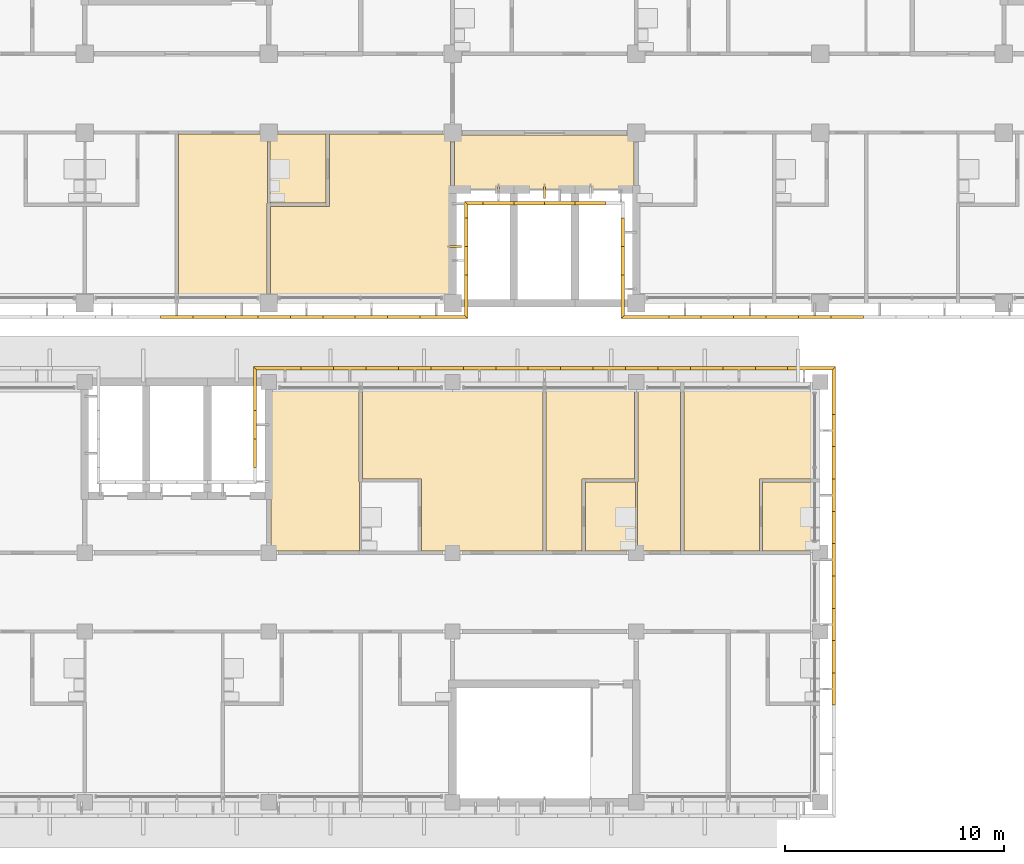
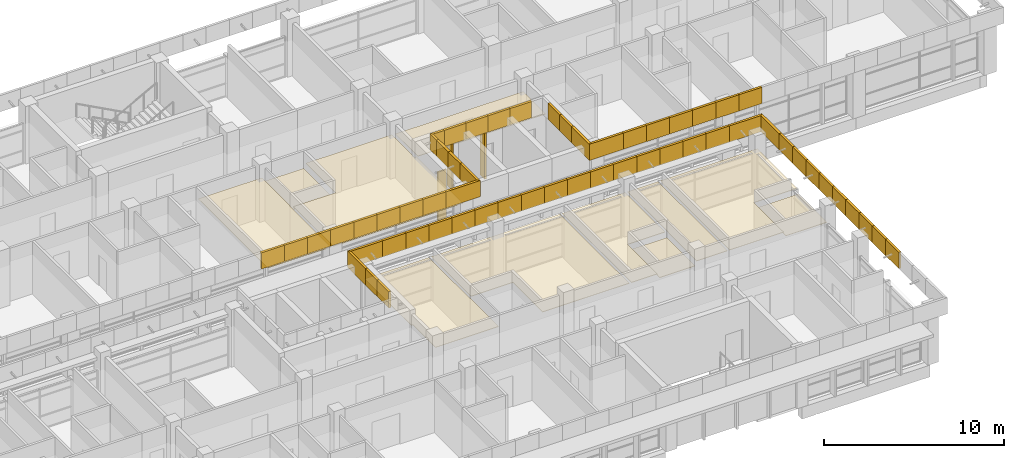
# One storey, part 68 of 71: 69 coverings, 3 shading devices.
"""IFC4 building model written with IfcOpenShell, lengths in metres."""

from ifc_helpers import new_model, si_unit, direction, frame, origin, origin_2d, place, context, subcontext, project, spatial, polyline, rectangle, outline, extrude, material, layer, layer_set, material_profile, profile_set, type_object, element, save


model = new_model("IFC4")

# Units and contexts
model_context = context("Model", 3, precision=1e-05, world=origin(), true_north=direction((0.0, 1.0)))
body_context = subcontext(model_context, "Body", "Model", "MODEL_VIEW")
ifc_project = project(units=[si_unit("LENGTHUNIT", "METRE"), si_unit("AREAUNIT", "SQUARE_METRE"), si_unit("VOLUMEUNIT", "CUBIC_METRE"), si_unit("PLANEANGLEUNIT", "RADIAN"), si_unit("MASSUNIT", "GRAM", prefix="KILO")], contexts=[model_context])

# Site, building, storey
site_placement = place(None, origin())
site = spatial("IfcSite", under=ifc_project, at=site_placement, CompositionType="ELEMENT")
building_placement = place(site_placement, origin())
building = spatial("IfcBuilding", under=site, at=building_placement, Name="Bougainvillea Quay General Hospital", CompositionType="ELEMENT")
storey_placement = place(building_placement, frame((0.0, 0.0, 24.89990234375)))
storey = spatial("IfcBuildingStorey", under=building, at=storey_placement, Name="L05", CompositionType="ELEMENT", Elevation=24.89990234375)

# Coverings
ifc_material_1 = material(Name="Powder-coated aluminium fascia, white", Category="aluminium")
ifc_layer_1 = layer(ifc_material_1, 0.14990234375)
ifc_layer_set_1 = layer_set([ifc_layer_1], Name="Powder-coated aluminium fascia, white")
covering_type_1 = type_object("IfcCoveringType", Name="Aluminium fascia band white 150x1100", PredefinedType="CLADDING", material=ifc_layer_set_1)
covering_1_placement = place(storey_placement, frame((137.85888671875, 139.85009765625, 3.35009765625), z_axis=(0.0, 0.0, 1.0), x_axis=(1.0, 0.0, 0.0)))
element("IfcCovering", 1, at=covering_1_placement, inside=storey, type_object=covering_type_1, Name="Fascia band white e0 183", PredefinedType="CLADDING", context=body_context, shape_type="SweptSolid", body=[
    extrude(outline(polyline([(0.0, 0.0), (1.482177734375, 0.0), (1.482177734375, -0.150146484375), (0.0, -0.150146484375), (0.0, 0.0)])), origin(), (0.0, 0.0, 1.0), 1.10009765625),
])
for number, where, z_axis, x_axis, name in (
    (2, (139.341064453125, 139.85009765625, 3.35009765625), (0.0, 0.0, 1.0), (1.0, 0.0, 0.0), "Fascia band white e0 184"),
    (3, (140.823486328125, 139.85009765625, 3.35009765625), (0.0, 0.0, 1.0), (1.0, 0.0, 0.0), "Fascia band white e0 185"),
    (4, (142.305908203125, 139.85009765625, 3.35009765625), (0.0, 0.0, 1.0), (1.0, 0.0, 0.0), "Fascia band white e0 186"),
):
    element("IfcCovering", number, at=place(storey_placement, frame(where, z_axis=z_axis, x_axis=x_axis)), inside=storey, type_object=covering_type_1, Name=name, PredefinedType="CLADDING", context=body_context, shape_type="SweptSolid", body=[
        extrude(outline(polyline([(0.0, 0.0), (1.482421875, 0.0), (1.482421875, -0.150146484375), (0.0, -0.150146484375), (0.0, 0.0)])), origin(), (0.0, 0.0, 1.0), 1.10009765625),
    ])
covering_2_placement = place(storey_placement, frame((143.788330078125, 139.85009765625, 3.35009765625), z_axis=(0.0, 0.0, 1.0), x_axis=(1.0, 0.0, 0.0)))
element("IfcCovering", 5, at=covering_2_placement, inside=storey, type_object=covering_type_1, Name="Fascia band white e0 187", PredefinedType="CLADDING", context=body_context, shape_type="SweptSolid", body=[
    extrude(outline(polyline([(0.0, 0.0), (1.482177734375, 0.0), (1.482177734375, -0.150146484375), (0.0, -0.150146484375), (0.0, 0.0)])), origin(), (0.0, 0.0, 1.0), 1.10009765625),
])
for number, where, z_axis, x_axis, name in (
    (6, (145.2705078125, 139.85009765625, 3.35009765625), (0.0, 0.0, 1.0), (1.0, 0.0, 0.0), "Fascia band white e0 188"),
    (7, (146.7529296875, 139.85009765625, 3.35009765625), (0.0, 0.0, 1.0), (1.0, 0.0, 0.0), "Fascia band white e0 189"),
):
    element("IfcCovering", number, at=place(storey_placement, frame(where, z_axis=z_axis, x_axis=x_axis)), inside=storey, type_object=covering_type_1, Name=name, PredefinedType="CLADDING", context=body_context, shape_type="SweptSolid", body=[
        extrude(outline(polyline([(0.0, 0.0), (1.482421875, 0.0), (1.482421875, -0.150146484375), (0.0, -0.150146484375), (0.0, 0.0)])), origin(), (0.0, 0.0, 1.0), 1.10009765625),
    ])
covering_3_placement = place(storey_placement, frame((148.2353515625, 139.85009765625, 3.35009765625), z_axis=(0.0, 0.0, 1.0), x_axis=(1.0, 0.0, 0.0)))
element("IfcCovering", 8, at=covering_3_placement, inside=storey, type_object=covering_type_1, Name="Fascia band white e0 190", PredefinedType="CLADDING", context=body_context, shape_type="SweptSolid", body=[
    extrude(outline(polyline([(0.0, 0.0), (1.482177734375, 0.0), (1.482177734375, -0.150146484375), (0.0, -0.150146484375), (0.0, 0.0)])), origin(), (0.0, 0.0, 1.0), 1.10009765625),
])
covering_4_placement = place(storey_placement, frame((149.717529296875, 139.85009765625, 3.35009765625), z_axis=(0.0, 0.0, 1.0), x_axis=(1.0, 0.0, 0.0)))
element("IfcCovering", 9, at=covering_4_placement, inside=storey, type_object=covering_type_1, Name="Fascia band white e0 191", PredefinedType="CLADDING", context=body_context, shape_type="SweptSolid", body=[
    extrude(outline(polyline([(0.0, 0.0), (2.032470703125, 0.0), (2.182373046875, -0.150146484375), (0.0, -0.150146484375), (0.0, 0.0)])), origin(), (0.0, 0.0, 1.0), 1.10009765625),
])
covering_5_placement = place(storey_placement, frame((151.75, 139.85009765625, 3.35009765625), z_axis=(0.0, 0.0, 1.0), x_axis=(0.0, 1.0, 0.0)))
element("IfcCovering", 10, at=covering_5_placement, inside=storey, type_object=covering_type_1, Name="Fascia band white e0 192", PredefinedType="CLADDING", context=body_context, shape_type="SweptSolid", body=[
    extrude(outline(polyline([(0.0, 0.0), (1.849853515625, 0.0), (1.849853515625, -0.14990234375), (-0.150146484375, -0.14990234375), (0.0, 0.0)])), origin(), (0.0, 0.0, 1.0), 1.10009765625),
])
for number, where, z_axis, x_axis, name in (
    (11, (151.75, 141.699951171875, 3.35009765625), (0.0, 0.0, 1.0), (0.0, 1.0, 0.0), "Fascia band white e0 193"),
    (12, (151.75, 143.0, 3.35009765625), (0.0, 0.0, 1.0), (0.0, 1.0, 0.0), "Fascia band white e0 194"),
):
    element("IfcCovering", number, at=place(storey_placement, frame(where, z_axis=z_axis, x_axis=x_axis)), inside=storey, type_object=covering_type_1, Name=name, PredefinedType="CLADDING", context=body_context, shape_type="SweptSolid", body=[
        extrude(outline(polyline([(0.0, 0.0), (1.300048828125, 0.0), (1.300048828125, -0.14990234375), (0.0, -0.14990234375), (0.0, 0.0)])), origin(), (0.0, 0.0, 1.0), 1.10009765625),
    ])
covering_6_placement = place(storey_placement, frame((151.75, 144.300048828125, 3.35009765625), z_axis=(0.0, 0.0, 1.0), x_axis=(0.0, 1.0, 0.0)))
element("IfcCovering", 13, at=covering_6_placement, inside=storey, type_object=covering_type_1, Name="Fascia band white e0 195", PredefinedType="CLADDING", context=body_context, shape_type="SweptSolid", body=[
    extrude(outline(polyline([(0.0, 0.0), (0.75, 0.0), (0.599853515625, -0.14990234375), (0.0, -0.14990234375), (0.0, 0.0)])), origin(), (0.0, 0.0, 1.0), 1.10009765625),
])
covering_7_placement = place(storey_placement, frame((151.75, 145.050048828125, 3.35009765625), z_axis=(0.0, 0.0, 1.0), x_axis=(1.0, 0.0, 0.0)))
element("IfcCovering", 14, at=covering_7_placement, inside=storey, type_object=covering_type_1, Name="Fascia band white e0 196", PredefinedType="CLADDING", context=body_context, shape_type="SweptSolid", body=[
    extrude(outline(polyline([(0.0, 0.0), (0.85009765625, 0.0), (0.85009765625, -0.150146484375), (0.14990234375, -0.150146484375), (0.0, 0.0)])), origin(), (0.0, 0.0, 1.0), 1.10009765625),
])
for number, where, z_axis, x_axis, name in (
    (15, (152.60009765625, 145.050048828125, 3.35009765625), (0.0, 0.0, 1.0), (1.0, 0.0, 0.0), "Fascia band white e0 197"),
    (16, (154.0, 145.050048828125, 3.35009765625), (0.0, 0.0, 1.0), (1.0, 0.0, 0.0), "Fascia band white e0 198"),
):
    element("IfcCovering", number, at=place(storey_placement, frame(where, z_axis=z_axis, x_axis=x_axis)), inside=storey, type_object=covering_type_1, Name=name, PredefinedType="CLADDING", context=body_context, shape_type="SweptSolid", body=[
        extrude(outline(polyline([(0.0, 0.0), (1.39990234375, 0.0), (1.39990234375, -0.150146484375), (0.0, -0.150146484375), (0.0, 0.0)])), origin(), (0.0, 0.0, 1.0), 1.10009765625),
    ])
covering_8_placement = place(storey_placement, frame((155.39990234375, 145.050048828125, 3.35009765625), z_axis=(0.0, 0.0, 1.0), x_axis=(1.0, 0.0, 0.0)))
element("IfcCovering", 17, at=covering_8_placement, inside=storey, type_object=covering_type_1, Name="Fascia band white e0 199", PredefinedType="CLADDING", context=body_context, shape_type="SweptSolid", body=[
    extrude(outline(polyline([(0.0, 0.0), (1.400146484375, 0.0), (1.400146484375, -0.150146484375), (0.0, -0.150146484375), (0.0, 0.0)])), origin(), (0.0, 0.0, 1.0), 1.10009765625),
])
covering_9_placement = place(storey_placement, frame((156.800048828125, 145.050048828125, 3.35009765625), z_axis=(0.0, 0.0, 1.0), x_axis=(1.0, 0.0, 0.0)))
element("IfcCovering", 18, at=covering_9_placement, inside=storey, type_object=covering_type_1, Name="Fascia band white e0 200", PredefinedType="CLADDING", context=body_context, shape_type="SweptSolid", body=[
    extrude(outline(polyline([(0.0, 0.0), (1.39990234375, 0.0), (1.39990234375, -0.150146484375), (0.0, -0.150146484375), (0.0, 0.0)])), origin(), (0.0, 0.0, 1.0), 1.10009765625),
])
for number, where, z_axis, x_axis, name in (
    (19, (159.050048828125, 144.300048828125, 3.35009765625), (0.0, 0.0, 1.0), (0.0, -1.0, 0.0), "Fascia band white e0 203"),
    (20, (159.050048828125, 143.0, 3.35009765625), (0.0, 0.0, 1.0), (0.0, -1.0, 0.0), "Fascia band white e0 204"),
):
    element("IfcCovering", number, at=place(storey_placement, frame(where, z_axis=z_axis, x_axis=x_axis)), inside=storey, type_object=covering_type_1, Name=name, PredefinedType="CLADDING", context=body_context, shape_type="SweptSolid", body=[
        extrude(outline(polyline([(0.0, 0.0), (1.300048828125, 0.0), (1.300048828125, -0.150146484375), (0.0, -0.150146484375), (0.0, 0.0)])), origin(), (0.0, 0.0, 1.0), 1.10009765625),
    ])
covering_10_placement = place(storey_placement, frame((159.050048828125, 141.699951171875, 3.35009765625), z_axis=(0.0, 0.0, 1.0), x_axis=(0.0, -1.0, 0.0)))
element("IfcCovering", 21, at=covering_10_placement, inside=storey, type_object=covering_type_1, Name="Fascia band white e0 205", PredefinedType="CLADDING", context=body_context, shape_type="SweptSolid", body=[
    extrude(outline(polyline([(0.0, 0.0), (1.849853515625, 0.0), (2.0, -0.150146484375), (0.0, -0.150146484375), (0.0, 0.0)])), origin(), (0.0, 0.0, 1.0), 1.10009765625),
])
covering_11_placement = place(storey_placement, frame((159.050048828125, 139.85009765625, 3.35009765625), z_axis=(0.0, 0.0, 1.0), x_axis=(1.0, 0.0, 0.0)))
element("IfcCovering", 22, at=covering_11_placement, inside=storey, type_object=covering_type_1, Name="Fascia band white e0 206", PredefinedType="CLADDING", context=body_context, shape_type="SweptSolid", body=[
    extrude(outline(polyline([(0.0, 0.0), (2.0322265625, 0.0), (2.0322265625, -0.150146484375), (-0.150146484375, -0.150146484375), (0.0, 0.0)])), origin(), (0.0, 0.0, 1.0), 1.10009765625),
])
for number, where, z_axis, x_axis, name in (
    (23, (161.082275390625, 139.85009765625, 3.35009765625), (0.0, 0.0, 1.0), (1.0, 0.0, 0.0), "Fascia band white e0 207"),
    (24, (162.564697265625, 139.85009765625, 3.35009765625), (0.0, 0.0, 1.0), (1.0, 0.0, 0.0), "Fascia band white e0 208"),
):
    element("IfcCovering", number, at=place(storey_placement, frame(where, z_axis=z_axis, x_axis=x_axis)), inside=storey, type_object=covering_type_1, Name=name, PredefinedType="CLADDING", context=body_context, shape_type="SweptSolid", body=[
        extrude(outline(polyline([(0.0, 0.0), (1.482421875, 0.0), (1.482421875, -0.150146484375), (0.0, -0.150146484375), (0.0, 0.0)])), origin(), (0.0, 0.0, 1.0), 1.10009765625),
    ])
covering_12_placement = place(storey_placement, frame((164.047119140625, 139.85009765625, 3.35009765625), z_axis=(0.0, 0.0, 1.0), x_axis=(1.0, 0.0, 0.0)))
element("IfcCovering", 25, at=covering_12_placement, inside=storey, type_object=covering_type_1, Name="Fascia band white e0 209", PredefinedType="CLADDING", context=body_context, shape_type="SweptSolid", body=[
    extrude(outline(polyline([(0.0, 0.0), (1.482177734375, 0.0), (1.482177734375, -0.150146484375), (0.0, -0.150146484375), (0.0, 0.0)])), origin(), (0.0, 0.0, 1.0), 1.10009765625),
])
for number, where, z_axis, x_axis, name in (
    (26, (165.529296875, 139.85009765625, 3.35009765625), (0.0, 0.0, 1.0), (1.0, 0.0, 0.0), "Fascia band white e0 210"),
    (27, (167.01171875, 139.85009765625, 3.35009765625), (0.0, 0.0, 1.0), (1.0, 0.0, 0.0), "Fascia band white e0 211"),
    (28, (168.494140625, 139.85009765625, 3.35009765625), (0.0, 0.0, 1.0), (1.0, 0.0, 0.0), "Fascia band white e0 212"),
):
    element("IfcCovering", number, at=place(storey_placement, frame(where, z_axis=z_axis, x_axis=x_axis)), inside=storey, type_object=covering_type_1, Name=name, PredefinedType="CLADDING", context=body_context, shape_type="SweptSolid", body=[
        extrude(outline(polyline([(0.0, 0.0), (1.482421875, 0.0), (1.482421875, -0.150146484375), (0.0, -0.150146484375), (0.0, 0.0)])), origin(), (0.0, 0.0, 1.0), 1.10009765625),
    ])
covering_13_placement = place(storey_placement, frame((168.550048828125, 122.03076171875, 3.35009765625), z_axis=(0.0, 0.0, 1.0), x_axis=(0.0, 1.0, 0.0)))
element("IfcCovering", 29, at=covering_13_placement, inside=storey, type_object=covering_type_1, Name="Fascia band white e0 101", PredefinedType="CLADDING", context=body_context, shape_type="SweptSolid", body=[
    extrude(outline(polyline([(0.0, 0.0), (1.47705078125, 0.0), (1.47705078125, -0.14990234375), (0.0, -0.14990234375), (0.0, 0.0)])), origin(), (0.0, 0.0, 1.0), 1.10009765625),
])
for number, where, z_axis, x_axis, name in (
    (30, (168.550048828125, 123.5078125, 3.35009765625), (0.0, 0.0, 1.0), (0.0, 1.0, 0.0), "Fascia band white e0 102"),
    (31, (168.550048828125, 124.984619140625, 3.35009765625), (0.0, 0.0, 1.0), (0.0, 1.0, 0.0), "Fascia band white e0 103"),
):
    element("IfcCovering", number, at=place(storey_placement, frame(where, z_axis=z_axis, x_axis=x_axis)), inside=storey, type_object=covering_type_1, Name=name, PredefinedType="CLADDING", context=body_context, shape_type="SweptSolid", body=[
        extrude(outline(polyline([(0.0, 0.0), (1.476806640625, 0.0), (1.476806640625, -0.14990234375), (0.0, -0.14990234375), (0.0, 0.0)])), origin(), (0.0, 0.0, 1.0), 1.10009765625),
    ])
covering_14_placement = place(storey_placement, frame((168.550048828125, 126.46142578125, 3.35009765625), z_axis=(0.0, 0.0, 1.0), x_axis=(0.0, 1.0, 0.0)))
element("IfcCovering", 32, at=covering_14_placement, inside=storey, type_object=covering_type_1, Name="Fascia band white e0 104", PredefinedType="CLADDING", context=body_context, shape_type="SweptSolid", body=[
    extrude(outline(polyline([(0.0, 0.0), (1.47705078125, 0.0), (1.47705078125, -0.14990234375), (0.0, -0.14990234375), (0.0, 0.0)])), origin(), (0.0, 0.0, 1.0), 1.10009765625),
])
covering_15_placement = place(storey_placement, frame((168.550048828125, 127.9384765625, 3.35009765625), z_axis=(0.0, 0.0, 1.0), x_axis=(0.0, 1.0, 0.0)))
element("IfcCovering", 33, at=covering_15_placement, inside=storey, type_object=covering_type_1, Name="Fascia band white e0 105", PredefinedType="CLADDING", context=body_context, shape_type="SweptSolid", body=[
    extrude(outline(polyline([(0.0, 0.0), (1.476806640625, 0.0), (1.476806640625, -0.14990234375), (0.0, -0.14990234375), (0.0, 0.0)])), origin(), (0.0, 0.0, 1.0), 1.10009765625),
])
covering_16_placement = place(storey_placement, frame((168.550048828125, 129.415283203125, 3.35009765625), z_axis=(0.0, 0.0, 1.0), x_axis=(0.0, 1.0, 0.0)))
element("IfcCovering", 34, at=covering_16_placement, inside=storey, type_object=covering_type_1, Name="Fascia band white e0 106", PredefinedType="CLADDING", context=body_context, shape_type="SweptSolid", body=[
    extrude(outline(polyline([(0.0, 0.0), (1.47705078125, 0.0), (1.47705078125, -0.14990234375), (0.0, -0.14990234375), (0.0, 0.0)])), origin(), (0.0, 0.0, 1.0), 1.10009765625),
])
covering_17_placement = place(storey_placement, frame((168.550048828125, 130.892333984375, 3.35009765625), z_axis=(0.0, 0.0, 1.0), x_axis=(0.0, 1.0, 0.0)))
element("IfcCovering", 35, at=covering_17_placement, inside=storey, type_object=covering_type_1, Name="Fascia band white e0 107", PredefinedType="CLADDING", context=body_context, shape_type="SweptSolid", body=[
    extrude(outline(polyline([(0.0, 0.0), (1.476806640625, 0.0), (1.476806640625, -0.14990234375), (0.0, -0.14990234375), (0.0, 0.0)])), origin(), (0.0, 0.0, 1.0), 1.10009765625),
])
covering_18_placement = place(storey_placement, frame((168.550048828125, 132.369140625, 3.35009765625), z_axis=(0.0, 0.0, 1.0), x_axis=(0.0, 1.0, 0.0)))
element("IfcCovering", 36, at=covering_18_placement, inside=storey, type_object=covering_type_1, Name="Fascia band white e0 108", PredefinedType="CLADDING", context=body_context, shape_type="SweptSolid", body=[
    extrude(outline(polyline([(0.0, 0.0), (1.47705078125, 0.0), (1.47705078125, -0.14990234375), (0.0, -0.14990234375), (0.0, 0.0)])), origin(), (0.0, 0.0, 1.0), 1.10009765625),
])
covering_19_placement = place(storey_placement, frame((168.550048828125, 133.84619140625, 3.35009765625), z_axis=(0.0, 0.0, 1.0), x_axis=(0.0, 1.0, 0.0)))
element("IfcCovering", 37, at=covering_19_placement, inside=storey, type_object=covering_type_1, Name="Fascia band white e0 109", PredefinedType="CLADDING", context=body_context, shape_type="SweptSolid", body=[
    extrude(outline(polyline([(0.0, 0.0), (1.476806640625, 0.0), (1.476806640625, -0.14990234375), (0.0, -0.14990234375), (0.0, 0.0)])), origin(), (0.0, 0.0, 1.0), 1.10009765625),
])
covering_20_placement = place(storey_placement, frame((168.550048828125, 135.322998046875, 3.35009765625), z_axis=(0.0, 0.0, 1.0), x_axis=(0.0, 1.0, 0.0)))
element("IfcCovering", 38, at=covering_20_placement, inside=storey, type_object=covering_type_1, Name="Fascia band white e0 110", PredefinedType="CLADDING", context=body_context, shape_type="SweptSolid", body=[
    extrude(outline(polyline([(0.0, 0.0), (2.027099609375, 0.0), (2.177001953125, -0.14990234375), (0.0, -0.14990234375), (0.0, 0.0)])), origin(), (0.0, 0.0, 1.0), 1.10009765625),
])
covering_21_placement = place(storey_placement, frame((168.550048828125, 137.35009765625, 3.35009765625), z_axis=(0.0, 0.0, 1.0), x_axis=(-1.0, 0.0, 0.0)))
element("IfcCovering", 39, at=covering_21_placement, inside=storey, type_object=covering_type_1, Name="Fascia band white e0 111", PredefinedType="CLADDING", context=body_context, shape_type="SweptSolid", body=[
    extrude(outline(polyline([(0.0, 0.0), (2.032470703125, 0.0), (2.032470703125, -0.14990234375), (-0.14990234375, -0.14990234375), (0.0, 0.0)])), origin(), (0.0, 0.0, 1.0), 1.10009765625),
])
covering_22_placement = place(storey_placement, frame((166.517578125, 137.35009765625, 3.35009765625), z_axis=(0.0, 0.0, 1.0), x_axis=(-1.0, 0.0, 0.0)))
element("IfcCovering", 40, at=covering_22_placement, inside=storey, type_object=covering_type_1, Name="Fascia band white e0 112", PredefinedType="CLADDING", context=body_context, shape_type="SweptSolid", body=[
    extrude(outline(polyline([(0.0, 0.0), (1.482177734375, 0.0), (1.482177734375, -0.14990234375), (0.0, -0.14990234375), (0.0, 0.0)])), origin(), (0.0, 0.0, 1.0), 1.10009765625),
])
for number, where, z_axis, x_axis, name in (
    (41, (165.035400390625, 137.35009765625, 3.35009765625), (0.0, 0.0, 1.0), (-1.0, 0.0, 0.0), "Fascia band white e0 113"),
    (42, (163.552978515625, 137.35009765625, 3.35009765625), (0.0, 0.0, 1.0), (-1.0, 0.0, 0.0), "Fascia band white e0 114"),
    (43, (162.070556640625, 137.35009765625, 3.35009765625), (0.0, 0.0, 1.0), (-1.0, 0.0, 0.0), "Fascia band white e0 115"),
):
    element("IfcCovering", number, at=place(storey_placement, frame(where, z_axis=z_axis, x_axis=x_axis)), inside=storey, type_object=covering_type_1, Name=name, PredefinedType="CLADDING", context=body_context, shape_type="SweptSolid", body=[
        extrude(outline(polyline([(0.0, 0.0), (1.482421875, 0.0), (1.482421875, -0.14990234375), (0.0, -0.14990234375), (0.0, 0.0)])), origin(), (0.0, 0.0, 1.0), 1.10009765625),
    ])
covering_23_placement = place(storey_placement, frame((160.588134765625, 137.35009765625, 3.35009765625), z_axis=(0.0, 0.0, 1.0), x_axis=(-1.0, 0.0, 0.0)))
element("IfcCovering", 44, at=covering_23_placement, inside=storey, type_object=covering_type_1, Name="Fascia band white e0 116", PredefinedType="CLADDING", context=body_context, shape_type="SweptSolid", body=[
    extrude(outline(polyline([(0.0, 0.0), (1.482177734375, 0.0), (1.482177734375, -0.14990234375), (0.0, -0.14990234375), (0.0, 0.0)])), origin(), (0.0, 0.0, 1.0), 1.10009765625),
])
for number, where, z_axis, x_axis, name in (
    (45, (159.10595703125, 137.35009765625, 3.35009765625), (0.0, 0.0, 1.0), (-1.0, 0.0, 0.0), "Fascia band white e0 117"),
    (46, (157.62353515625, 137.35009765625, 3.35009765625), (0.0, 0.0, 1.0), (-1.0, 0.0, 0.0), "Fascia band white e0 118"),
):
    element("IfcCovering", number, at=place(storey_placement, frame(where, z_axis=z_axis, x_axis=x_axis)), inside=storey, type_object=covering_type_1, Name=name, PredefinedType="CLADDING", context=body_context, shape_type="SweptSolid", body=[
        extrude(outline(polyline([(0.0, 0.0), (1.482421875, 0.0), (1.482421875, -0.14990234375), (0.0, -0.14990234375), (0.0, 0.0)])), origin(), (0.0, 0.0, 1.0), 1.10009765625),
    ])
covering_24_placement = place(storey_placement, frame((156.14111328125, 137.35009765625, 3.35009765625), z_axis=(0.0, 0.0, 1.0), x_axis=(-1.0, 0.0, 0.0)))
element("IfcCovering", 47, at=covering_24_placement, inside=storey, type_object=covering_type_1, Name="Fascia band white e0 119", PredefinedType="CLADDING", context=body_context, shape_type="SweptSolid", body=[
    extrude(outline(polyline([(0.0, 0.0), (1.482177734375, 0.0), (1.482177734375, -0.14990234375), (0.0, -0.14990234375), (0.0, 0.0)])), origin(), (0.0, 0.0, 1.0), 1.10009765625),
])
for number, where, z_axis, x_axis, name in (
    (48, (154.658935546875, 137.35009765625, 3.35009765625), (0.0, 0.0, 1.0), (-1.0, 0.0, 0.0), "Fascia band white e0 120"),
    (49, (153.176513671875, 137.35009765625, 3.35009765625), (0.0, 0.0, 1.0), (-1.0, 0.0, 0.0), "Fascia band white e0 121"),
    (50, (151.694091796875, 137.35009765625, 3.35009765625), (0.0, 0.0, 1.0), (-1.0, 0.0, 0.0), "Fascia band white e0 122"),
):
    element("IfcCovering", number, at=place(storey_placement, frame(where, z_axis=z_axis, x_axis=x_axis)), inside=storey, type_object=covering_type_1, Name=name, PredefinedType="CLADDING", context=body_context, shape_type="SweptSolid", body=[
        extrude(outline(polyline([(0.0, 0.0), (1.482421875, 0.0), (1.482421875, -0.14990234375), (0.0, -0.14990234375), (0.0, 0.0)])), origin(), (0.0, 0.0, 1.0), 1.10009765625),
    ])
covering_25_placement = place(storey_placement, frame((150.211669921875, 137.35009765625, 3.35009765625), z_axis=(0.0, 0.0, 1.0), x_axis=(-1.0, 0.0, 0.0)))
element("IfcCovering", 51, at=covering_25_placement, inside=storey, type_object=covering_type_1, Name="Fascia band white e0 123", PredefinedType="CLADDING", context=body_context, shape_type="SweptSolid", body=[
    extrude(outline(polyline([(0.0, 0.0), (1.482177734375, 0.0), (1.482177734375, -0.14990234375), (0.0, -0.14990234375), (0.0, 0.0)])), origin(), (0.0, 0.0, 1.0), 1.10009765625),
])
for number, where, z_axis, x_axis, name in (
    (52, (148.7294921875, 137.35009765625, 3.35009765625), (0.0, 0.0, 1.0), (-1.0, 0.0, 0.0), "Fascia band white e0 124"),
    (53, (147.2470703125, 137.35009765625, 3.35009765625), (0.0, 0.0, 1.0), (-1.0, 0.0, 0.0), "Fascia band white e0 125"),
):
    element("IfcCovering", number, at=place(storey_placement, frame(where, z_axis=z_axis, x_axis=x_axis)), inside=storey, type_object=covering_type_1, Name=name, PredefinedType="CLADDING", context=body_context, shape_type="SweptSolid", body=[
        extrude(outline(polyline([(0.0, 0.0), (1.482421875, 0.0), (1.482421875, -0.14990234375), (0.0, -0.14990234375), (0.0, 0.0)])), origin(), (0.0, 0.0, 1.0), 1.10009765625),
    ])
covering_26_placement = place(storey_placement, frame((145.7646484375, 137.35009765625, 3.35009765625), z_axis=(0.0, 0.0, 1.0), x_axis=(-1.0, 0.0, 0.0)))
element("IfcCovering", 54, at=covering_26_placement, inside=storey, type_object=covering_type_1, Name="Fascia band white e0 126", PredefinedType="CLADDING", context=body_context, shape_type="SweptSolid", body=[
    extrude(outline(polyline([(0.0, 0.0), (1.482177734375, 0.0), (1.482177734375, -0.14990234375), (0.0, -0.14990234375), (0.0, 0.0)])), origin(), (0.0, 0.0, 1.0), 1.10009765625),
])
covering_27_placement = place(storey_placement, frame((144.282470703125, 137.35009765625, 3.35009765625), z_axis=(0.0, 0.0, 1.0), x_axis=(-1.0, 0.0, 0.0)))
element("IfcCovering", 55, at=covering_27_placement, inside=storey, type_object=covering_type_1, Name="Fascia band white e0 127", PredefinedType="CLADDING", context=body_context, shape_type="SweptSolid", body=[
    extrude(outline(polyline([(0.0, 0.0), (2.032470703125, 0.0), (2.182373046875, -0.14990234375), (0.0, -0.14990234375), (0.0, 0.0)])), origin(), (0.0, 0.0, 1.0), 1.10009765625),
])
covering_28_placement = place(storey_placement, frame((142.25, 137.35009765625, 3.35009765625), z_axis=(0.0, 0.0, 1.0), x_axis=(0.0, -1.0, 0.0)))
element("IfcCovering", 56, at=covering_28_placement, inside=storey, type_object=covering_type_1, Name="Fascia band white e0 128", PredefinedType="CLADDING", context=body_context, shape_type="SweptSolid", body=[
    extrude(outline(polyline([(0.0, 0.0), (1.85009765625, 0.0), (1.85009765625, -0.14990234375), (-0.14990234375, -0.14990234375), (0.0, 0.0)])), origin(), (0.0, 0.0, 1.0), 1.10009765625),
])
for number, where, z_axis, x_axis, name in (
    (57, (142.25, 135.5, 3.35009765625), (0.0, 0.0, 1.0), (0.0, -1.0, 0.0), "Fascia band white e0 129"),
    (58, (142.25, 134.199951171875, 3.35009765625), (0.0, 0.0, 1.0), (0.0, -1.0, 0.0), "Fascia band white e0 130"),
):
    element("IfcCovering", number, at=place(storey_placement, frame(where, z_axis=z_axis, x_axis=x_axis)), inside=storey, type_object=covering_type_1, Name=name, PredefinedType="CLADDING", context=body_context, shape_type="SweptSolid", body=[
        extrude(outline(polyline([(0.0, 0.0), (1.300048828125, 0.0), (1.300048828125, -0.14990234375), (0.0, -0.14990234375), (0.0, 0.0)])), origin(), (0.0, 0.0, 1.0), 1.10009765625),
    ])
ifc_material_2 = material(Name="Mineral fibre ceiling tile")
ifc_layer_2 = layer(ifc_material_2, 0.030029296875)
ifc_layer_set_2 = layer_set([ifc_layer_2], Name="Mineral fibre ceiling tile")
covering_type_2 = type_object("IfcCoveringType", Name="Suspended ceiling mineral fibre tile", PredefinedType="CEILING", material=ifc_layer_set_2)
covering_29_placement = place(storey_placement, frame((0.0, 0.0, 2.7001953125)))
element("IfcCovering", 59, at=covering_29_placement, inside=storey, type_object=covering_type_2, Name="Ceiling Lift Lobby LB-A2 (Fire-fighting)", PredefinedType="CEILING", context=body_context, shape_type="SweptSolid", body=[
    extrude(outline(polyline([(159.5, 145.60009765625), (159.5, 148.10009765625), (151.300048828125, 148.10009765625), (151.300048828125, 145.60009765625), (159.5, 145.60009765625)])), origin(), (0.0, 0.0, 1.0), 0.02978515625),
])
covering_30_placement = place(storey_placement, frame((0.0, 0.0, 2.7001953125)))
element("IfcCovering", 60, at=covering_30_placement, inside=storey, type_object=covering_type_2, Name="Ceiling Treatment and Clean Utility Room 05A22", PredefinedType="CEILING", context=body_context, shape_type="SweptSolid", body=[
    extrude(outline(polyline([(142.72509765625, 140.39990234375), (142.72509765625, 144.97509765625), (142.75, 144.97509765625), (142.75, 148.125), (138.675048828125, 148.125), (138.675048828125, 140.39990234375), (142.72509765625, 140.39990234375)])), origin(), (0.0, 0.0, 1.0), 0.02978515625),
])
covering_31_placement = place(storey_placement, frame((0.0, 0.0, 2.7001953125)))
element("IfcCovering", 61, at=covering_31_placement, inside=storey, type_object=covering_type_2, Name="Ceiling Four-bed Ward Room 05A23", PredefinedType="CEILING", context=body_context, shape_type="SweptSolid", body=[
    extrude(outline(polyline([(151.199951171875, 145.60009765625), (151.10009765625, 145.60009765625), (151.10009765625, 148.125), (145.574951171875, 148.125), (145.574951171875, 144.824951171875), (142.875, 144.824951171875), (142.875, 140.39990234375), (151.199951171875, 140.39990234375), (151.199951171875, 145.60009765625)])), origin(), (0.0, 0.0, 1.0), 0.02978515625),
])
covering_32_placement = place(storey_placement, frame((0.0, 0.0, 2.400146484375)))
element("IfcCovering", 62, at=covering_32_placement, inside=storey, type_object=covering_type_2, Name="Ceiling En-suite 05A23", PredefinedType="CEILING", context=body_context, shape_type="SweptSolid", body=[
    extrude(outline(polyline([(142.85009765625, 144.97509765625), (145.425048828125, 144.97509765625), (145.425048828125, 148.125), (142.85009765625, 148.125), (142.85009765625, 144.97509765625)])), origin(), (0.0, 0.0, 1.0), 0.030029296875),
])
covering_33_placement = place(storey_placement, frame((0.0, 0.0, 2.7001953125)))
element("IfcCovering", 63, at=covering_33_placement, inside=storey, type_object=covering_type_2, Name="Ceiling Treatment and Clean Utility Room 05B33", PredefinedType="CEILING", context=body_context, shape_type="SweptSolid", body=[
    extrude(outline(polyline([(142.800048828125, 131.60009765625), (142.89990234375, 131.60009765625), (142.89990234375, 129.074951171875), (146.949951171875, 129.074951171875), (146.949951171875, 132.22509765625), (146.925048828125, 132.22509765625), (146.925048828125, 136.800048828125), (142.800048828125, 136.800048828125), (142.800048828125, 131.60009765625)])), origin(), (0.0, 0.0, 1.0), 0.02978515625),
])
covering_34_placement = place(storey_placement, frame((0.0, 0.0, 2.7001953125)))
element("IfcCovering", 64, at=covering_34_placement, inside=storey, type_object=covering_type_2, Name="Ceiling Four-bed Ward Room 05B34", PredefinedType="CEILING", context=body_context, shape_type="SweptSolid", body=[
    extrude(outline(polyline([(147.074951171875, 136.800048828125), (147.074951171875, 132.375), (149.77490234375, 132.375), (149.77490234375, 129.074951171875), (155.324951171875, 129.074951171875), (155.324951171875, 136.800048828125), (147.074951171875, 136.800048828125)])), origin(), (0.0, 0.0, 1.0), 0.02978515625),
])
covering_35_placement = place(storey_placement, frame((0.0, 0.0, 2.7001953125)))
element("IfcCovering", 65, at=covering_35_placement, inside=storey, type_object=covering_type_2, Name="Ceiling Patient Room 05B35", PredefinedType="CEILING", context=body_context, shape_type="SweptSolid", body=[
    extrude(outline(polyline([(155.47509765625, 136.800048828125), (155.47509765625, 129.074951171875), (157.125, 129.074951171875), (157.125, 132.375), (159.52490234375, 132.375), (159.52490234375, 136.800048828125), (155.47509765625, 136.800048828125)])), origin(), (0.0, 0.0, 1.0), 0.02978515625),
])
covering_36_placement = place(storey_placement, frame((0.0, 0.0, 2.400146484375)))
element("IfcCovering", 66, at=covering_36_placement, inside=storey, type_object=covering_type_2, Name="Ceiling En-suite 05B35", PredefinedType="CEILING", context=body_context, shape_type="SweptSolid", body=[
    extrude(outline(polyline([(159.550048828125, 132.22509765625), (157.27490234375, 132.22509765625), (157.27490234375, 129.074951171875), (159.550048828125, 129.074951171875), (159.550048828125, 132.22509765625)])), origin(), (0.0, 0.0, 1.0), 0.030029296875),
])
covering_37_placement = place(storey_placement, frame((0.0, 0.0, 2.7001953125)))
element("IfcCovering", 67, at=covering_37_placement, inside=storey, type_object=covering_type_2, Name="Ceiling Dirty Utility and Sluice Room 05B36", PredefinedType="CEILING", context=body_context, shape_type="SweptSolid", body=[
    extrude(outline(polyline([(159.675048828125, 136.800048828125), (159.675048828125, 132.22509765625), (159.64990234375, 132.22509765625), (159.64990234375, 129.074951171875), (161.625, 129.074951171875), (161.625, 136.800048828125), (159.675048828125, 136.800048828125)])), origin(), (0.0, 0.0, 1.0), 0.02978515625),
])
covering_38_placement = place(storey_placement, frame((0.0, 0.0, 2.7001953125)))
element("IfcCovering", 68, at=covering_38_placement, inside=storey, type_object=covering_type_2, Name="Ceiling Two-bed Patient Room 05B37", PredefinedType="CEILING", context=body_context, shape_type="SweptSolid", body=[
    extrude(outline(polyline([(161.77490234375, 136.800048828125), (161.77490234375, 129.074951171875), (165.22509765625, 129.074951171875), (165.22509765625, 132.375), (168.0, 132.375), (168.0, 136.800048828125), (161.77490234375, 136.800048828125)])), origin(), (0.0, 0.0, 1.0), 0.02978515625),
])
covering_39_placement = place(storey_placement, frame((0.0, 0.0, 2.400146484375)))
element("IfcCovering", 69, at=covering_39_placement, inside=storey, type_object=covering_type_2, Name="Ceiling En-suite 05B37", PredefinedType="CEILING", context=body_context, shape_type="SweptSolid", body=[
    extrude(outline(polyline([(168.0, 132.22509765625), (165.375, 132.22509765625), (165.375, 129.074951171875), (168.0, 129.074951171875), (168.0, 132.22509765625)])), origin(), (0.0, 0.0, 1.0), 0.030029296875),
])

# Shading devices
ifc_material_3 = material(Name="Powder-coated aluminium fin, white", Category="aluminium")
ifc_material_profile = material_profile(ifc_material_3, rectangle(XDim=0.550048828125, YDim=0.10009765625, at=origin_2d()))
ifc_profile_set = profile_set([ifc_material_profile], Name="Powder-coated aluminium fin, white")
shading_device_type = type_object("IfcShadingDeviceType", Name="Vertical fin 550x100", PredefinedType="USERDEFINED", material=ifc_profile_set)
for number, where, z_axis, x_axis, name in (
    (70, (151.344970703125, 143.0, 0.0), (0.0, 0.0, 1.0), (1.0, 0.0, 0.0), "Vertical fin V5A L05 07.1"),
    (71, (155.39990234375, 145.455078125, 0.0), (0.0, 0.0, 1.0), (0.0, -1.0, 0.0), "Vertical fin V5A L05 08.2"),
    (72, (153.300048828125, 145.455078125, 0.0), (0.0, 0.0, 1.0), (0.0, -1.0, 0.0), "Vertical fin V5A L05 08.3"),
):
    element("IfcShadingDevice", number, at=place(storey_placement, frame(where, z_axis=z_axis, x_axis=x_axis)), inside=storey, type_object=shading_device_type, Name=name, ObjectType="Vertical fin", PredefinedType="USERDEFINED", context=body_context, shape_type="SweptSolid", body=[
        extrude(rectangle(XDim=0.550048828125, YDim=0.10009765625, at=origin_2d()), origin(), (0.0, 0.0, 1.0), 3.330078125),
    ])

save(model, "model.ifc")
